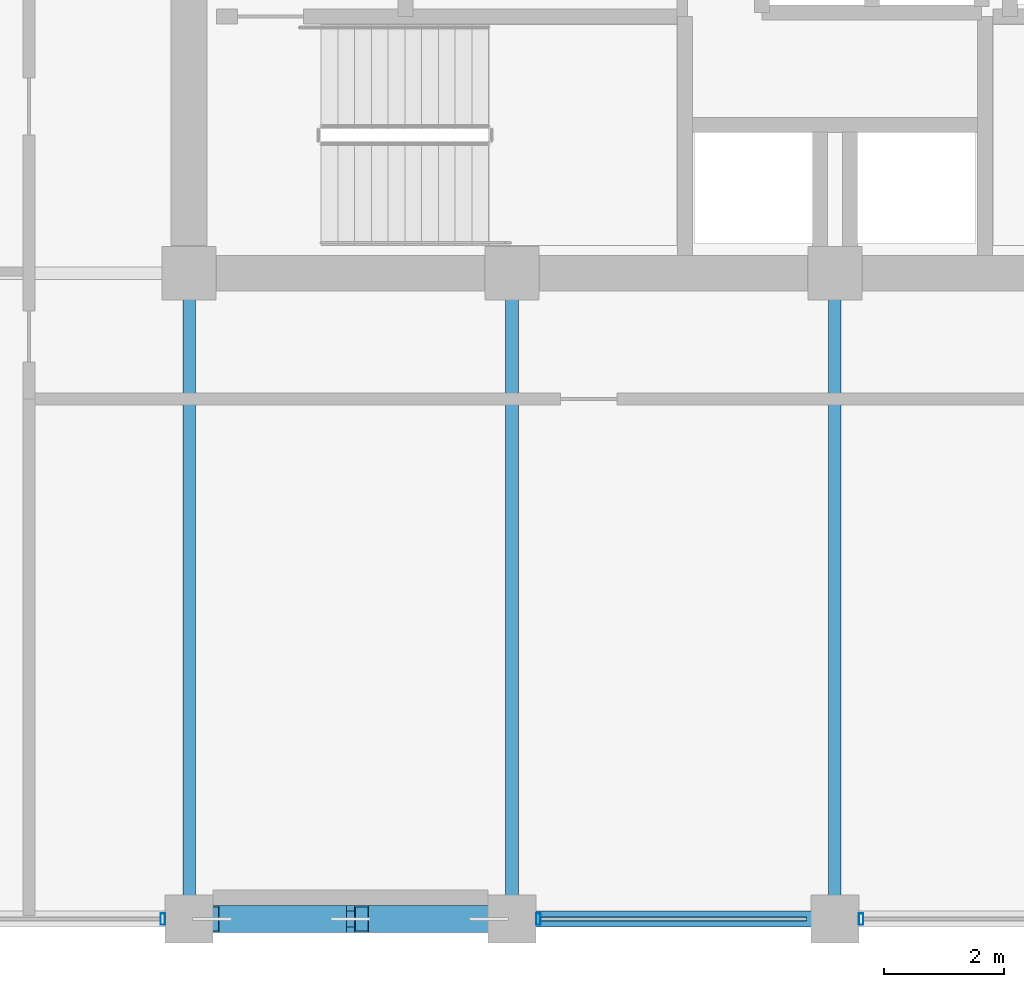
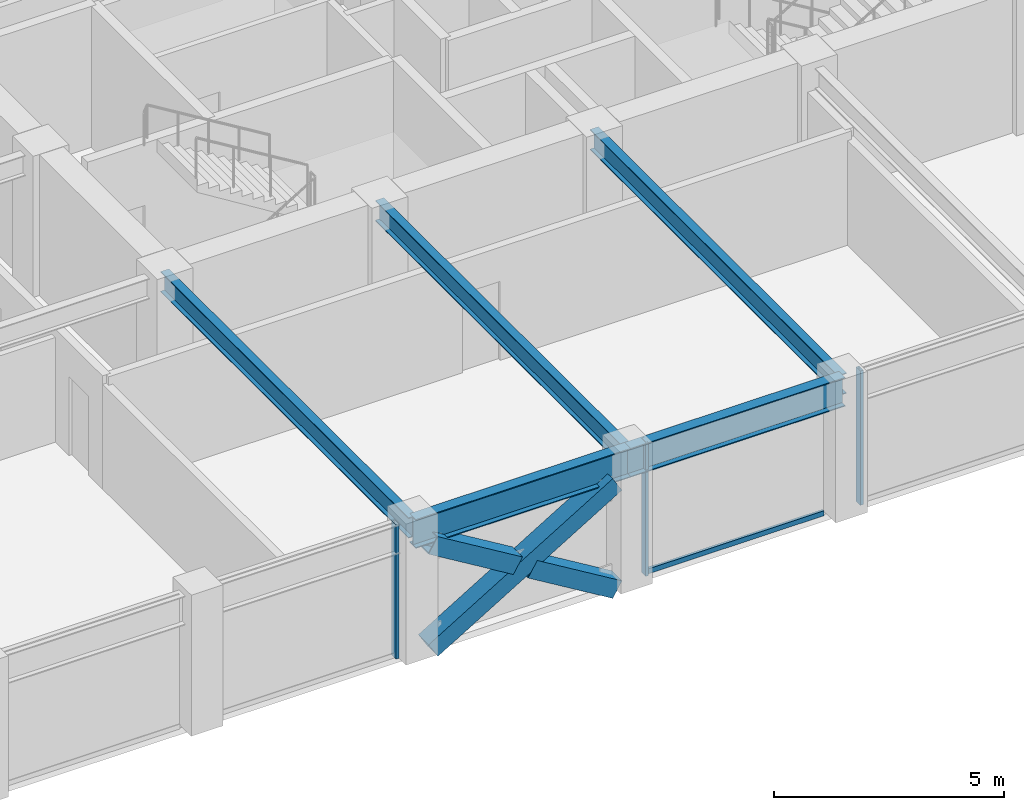
# One storey, part 4 of 28: 7 members, 5 beams, 2 elements without a shape of their own.
"""IFC4 building model written with IfcOpenShell, lengths in metres."""

from ifc_helpers import new_model, si_unit, direction, frame, origin, origin_2d, place, context, subcontext, project, spatial, hollow_rectangle, i_section, extrude, material, layer, layer_set, material_profile, profile_set, type_object, element, aggregate, save


model = new_model("IFC4")

# Units and contexts
model_context = context("Model", 3, precision=1e-05, world=origin(), true_north=direction((0.0, 1.0)))
body_context = subcontext(model_context, "Body", "Model", "MODEL_VIEW")
ifc_project = project(units=[si_unit("LENGTHUNIT", "METRE"), si_unit("AREAUNIT", "SQUARE_METRE"), si_unit("VOLUMEUNIT", "CUBIC_METRE"), si_unit("PLANEANGLEUNIT", "RADIAN"), si_unit("MASSUNIT", "GRAM", prefix="KILO")], contexts=[model_context])

# Site, building, storey
site_placement = place(None, origin())
site = spatial("IfcSite", under=ifc_project, at=site_placement, CompositionType="ELEMENT")
building_placement = place(site_placement, origin())
building = spatial("IfcBuilding", under=site, at=building_placement, Name="Surkhivell Harbour Commons", CompositionType="ELEMENT")
storey_placement = place(building_placement, frame((0.0, 0.0, 242.25)))
storey = spatial("IfcBuildingStorey", under=building, at=storey_placement, Name="L63", CompositionType="ELEMENT", Elevation=242.25)

# Beams
ifc_material_1 = material(Name="Steel S355", Category="steel")
ifc_material_profile_1 = material_profile(ifc_material_1, i_section(OverallWidth=0.2119140625, OverallDepth=0.5439453125, WebThickness=0.0126953125, FlangeThickness=0.021240234375, at=origin_2d()), Name="UB533x210x122")
ifc_profile_set_1 = profile_set([ifc_material_profile_1], Name="Steel S355")
beam_type_1 = type_object("IfcBeamType", Name="BM-GRD-533A", PredefinedType="BEAM", material=ifc_profile_set_1)
for number, where, z_axis, x_axis, name in (
    (1, (-10.800048828125, -21.60009765625, 3.298095703125), (0.0, 1.0, 0.0), (-1.0, 0.0, 0.0), "L63 Floor Girder (-10.8,-21.6)"),
    (2, (-5.39990234375, -21.60009765625, 3.298095703125), (0.0, 1.0, 0.0), (-1.0, 0.0, 0.0), "L63 Floor Girder (-5.4,-21.6)"),
    (3, (0.0, -21.60009765625, 3.298095703125), (0.0, 1.0, 0.0), (-1.0, 0.0, 0.0), "L63 Floor Girder (0.0,-21.6)"),
):
    element("IfcBeam", number, at=place(storey_placement, frame(where, z_axis=z_axis, x_axis=x_axis)), inside=storey, type_object=beam_type_1, Name=name, PredefinedType="BEAM", context=body_context, shape_type="SweptSolid", body=[
        extrude(i_section(OverallWidth=0.2119140625, OverallDepth=0.5439453125, WebThickness=0.0126953125, FlangeThickness=0.021240234375, at=origin_2d()), origin(), (0.0, 0.0, 1.0), 10.800048828125),
    ])
ifc_material_profile_2 = material_profile(ifc_material_1, i_section(OverallWidth=0.26806640625, OverallDepth=0.77001953125, WebThickness=0.015625, FlangeThickness=0.025390625, at=origin_2d()), Name="UB762x267x197")
ifc_profile_set_2 = profile_set([ifc_material_profile_2], Name="Steel S355")
beam_type_2 = type_object("IfcBeamType", Name="BM-SPN-762", PredefinedType="SPANDREL", material=ifc_profile_set_2)
beam_1_placement = place(storey_placement, frame((-10.800048828125, -21.60009765625, 3.18505859375), z_axis=(1.0, 0.0, 0.0), x_axis=(0.0, 1.0, 0.0)))
element("IfcBeam", 4, at=beam_1_placement, inside=storey, type_object=beam_type_2, Name="L63 Tube Spandrel (-10.8,-21.6)", PredefinedType="SPANDREL", context=body_context, shape_type="SweptSolid", body=[
    extrude(i_section(OverallWidth=0.26806640625, OverallDepth=0.77001953125, WebThickness=0.015625, FlangeThickness=0.025390625, at=origin_2d()), origin(), (0.0, 0.0, 1.0), 5.400146484375),
])
beam_2_placement = place(storey_placement, frame((-5.39990234375, -21.60009765625, 3.18505859375), z_axis=(1.0, 0.0, 0.0), x_axis=(0.0, 1.0, 0.0)))
element("IfcBeam", 5, at=beam_2_placement, inside=storey, type_object=beam_type_2, Name="L63 Tube Spandrel (-5.4,-21.6)", PredefinedType="SPANDREL", context=body_context, shape_type="SweptSolid", body=[
    extrude(i_section(OverallWidth=0.26806640625, OverallDepth=0.77001953125, WebThickness=0.015625, FlangeThickness=0.025390625, at=origin_2d()), origin(), (0.0, 0.0, 1.0), 5.39990234375),
])

# Curtain wall, member
ifc_material_2 = material(Name="Anodised pale-metal aluminium and insulated glazing", Category="aluminium")
ifc_layer = layer(ifc_material_2, 0.18994140625)
ifc_layer_set = layer_set([ifc_layer], Name="Anodised pale-metal aluminium and insulated glazing")
curtain_wall_type = type_object("IfcCurtainWallType", Name="CW-SYS-Z3", PredefinedType="NOTDEFINED", material=ifc_layer_set)
curtain_wall_1_placement = place(storey_placement, origin())
curtain_wall_1 = element("IfcCurtainWall", 6, at=curtain_wall_1_placement, inside=storey, type_object=curtain_wall_type, Name="L63 Curtain Wall CW-L63-E00S1", PredefinedType="NOTDEFINED")
ifc_material_3 = material(Name="Anodised pale-metal aluminium alloy 6063-T6", Category="aluminium")
ifc_material_profile_3 = material_profile(ifc_material_3, hollow_rectangle(XDim=0.074951171875, YDim=0.18994140625, WallThickness=0.00390625, at=origin_2d()), Name="ALU-MULL-75x190")
ifc_profile_set_3 = profile_set([ifc_material_profile_3], Name="Anodised pale-metal aluminium alloy 6063-T6")
member_type_1 = type_object("IfcMemberType", Name="CWM-190", PredefinedType="MULLION", material=ifc_profile_set_3)
member_1_placement = place(storey_placement, frame((-11.239501953125, -21.60009765625, 0.0), z_axis=(0.0, 0.0, 1.0), x_axis=(1.0, 0.0, 0.0)))
member_1 = element("IfcMember", 7, at=member_1_placement, type_object=member_type_1, Name="CW-Z3 mullion 3", PredefinedType="MULLION", context=body_context, shape_type="SweptSolid", body=[
    extrude(hollow_rectangle(XDim=0.074951171875, YDim=0.18994140625, WallThickness=0.00390625, at=origin_2d()), origin(), (0.0, 0.0, 1.0), 3.570068359375),
])
aggregate(curtain_wall_1, [member_1])

# Curtain wall, members
curtain_wall_2_placement = place(storey_placement, origin())
curtain_wall_2 = element("IfcCurtainWall", 8, at=curtain_wall_2_placement, inside=storey, type_object=curtain_wall_type, Name="L63 Curtain Wall CW-L63-E00S2", PredefinedType="NOTDEFINED")
member_2_placement = place(storey_placement, frame((-4.96044921875, -21.60009765625, 0.0), z_axis=(0.0, 0.0, 1.0), x_axis=(1.0, 0.0, 0.0)))
member_2 = element("IfcMember", 9, at=member_2_placement, type_object=member_type_1, Name="CW-Z3 mullion 1", PredefinedType="MULLION", context=body_context, shape_type="SweptSolid", body=[
    extrude(hollow_rectangle(XDim=0.074951171875, YDim=0.18994140625, WallThickness=0.00390625, at=origin_2d()), origin(), (0.0, 0.0, 1.0), 3.570068359375),
])
member_3_placement = place(storey_placement, frame((0.439453125, -21.60009765625, 0.0), z_axis=(0.0, 0.0, 1.0), x_axis=(1.0, 0.0, 0.0)))
member_3 = element("IfcMember", 10, at=member_3_placement, type_object=member_type_1, Name="CW-Z3 mullion 2", PredefinedType="MULLION", context=body_context, shape_type="SweptSolid", body=[
    extrude(hollow_rectangle(XDim=0.074951171875, YDim=0.18994140625, WallThickness=0.00390625, at=origin_2d()), origin(), (0.0, 0.0, 1.0), 3.570068359375),
])
ifc_material_4 = material(Name="Champagne anodised aluminium alloy 6063-T6", Category="aluminium")
ifc_material_profile_4 = material_profile(ifc_material_4, hollow_rectangle(XDim=0.070068359375, YDim=0.1298828125, WallThickness=0.00341796875, at=origin_2d()), Name="ALU-TRAN-70x130")
ifc_profile_set_4 = profile_set([ifc_material_profile_4], Name="Champagne anodised aluminium alloy 6063-T6")
member_type_2 = type_object("IfcMemberType", Name="CWT-130", PredefinedType="USERDEFINED", material=ifc_profile_set_4)
member_4_placement = place(storey_placement, frame((-4.923095703125, -21.60009765625, 0.06494140625), z_axis=(1.0, 0.0, 0.0), x_axis=(0.0, 1.0, 0.0)))
member_4 = element("IfcMember", 11, at=member_4_placement, type_object=member_type_2, Name="CW-Z3 transom 1.1", ObjectType="TRANSOM", PredefinedType="USERDEFINED", context=body_context, shape_type="SweptSolid", body=[
    extrude(hollow_rectangle(XDim=0.070068359375, YDim=0.1298828125, WallThickness=0.00341796875, at=origin_2d()), origin(), (0.0, 0.0, 1.0), 4.446044921875),
])
aggregate(curtain_wall_2, [member_2, member_4, member_3])

# Members
ifc_material_5 = material(Name="Steel S460", Category="steel")
ifc_material_profile_5 = material_profile(ifc_material_5, hollow_rectangle(XDim=0.449951171875, YDim=0.449951171875, WallThickness=0.02197265625, at=origin_2d()), Name="SHS450x450x22")
ifc_profile_set_5 = profile_set([ifc_material_profile_5], Name="Steel S460")
member_type_3 = type_object("IfcMemberType", Name="MEM-BRC-SHS450", PredefinedType="BRACE", material=ifc_profile_set_5)
member_5_placement = place(storey_placement, frame((-10.4150390625, -21.60009765625, 0.008056640625), z_axis=(0.856035804566, 0.0, 0.516916532238), x_axis=(0.0, 1.0, 0.0)))
element("IfcMember", 12, at=member_5_placement, inside=storey, type_object=member_type_3, Name="L63 Perimeter Mega-Brace MB- 07", PredefinedType="BRACE", context=body_context, shape_type="SweptSolid", body=[
    extrude(hollow_rectangle(XDim=0.449951171875, YDim=0.449951171875, WallThickness=0.02197265625, at=origin_2d()), origin(), (0.0, 0.0, 1.0), 5.40869140625),
])
member_6_placement = place(storey_placement, frame((-5.784912109375, -21.60009765625, 0.008056640625), z_axis=(-0.856061168755, 0.0, 0.516874525731), x_axis=(0.0, -1.0, 0.0)))
element("IfcMember", 13, at=member_6_placement, inside=storey, type_object=member_type_3, Name="L63 Perimeter Mega-Brace MB- 08", PredefinedType="BRACE", context=body_context, shape_type="SweptSolid", body=[
    extrude(hollow_rectangle(XDim=0.449951171875, YDim=0.449951171875, WallThickness=0.02197265625, at=origin_2d()), origin(), (0.0, 0.0, 1.0), 2.48828125),
])
member_7_placement = place(storey_placement, frame((-8.284912109375, -21.60009765625, 1.517578125), z_axis=(-0.856017753989, 0.0, 0.516946423584), x_axis=(0.0, -1.0, 0.0)))
element("IfcMember", 14, at=member_7_placement, inside=storey, type_object=member_type_3, Name="L63 Perimeter Mega-Brace MB- 09", PredefinedType="BRACE", context=body_context, shape_type="SweptSolid", body=[
    extrude(hollow_rectangle(XDim=0.449951171875, YDim=0.449951171875, WallThickness=0.02197265625, at=origin_2d()), origin(), (0.0, 0.0, 1.0), 2.488525390625),
])

save(model, "model.ifc")
